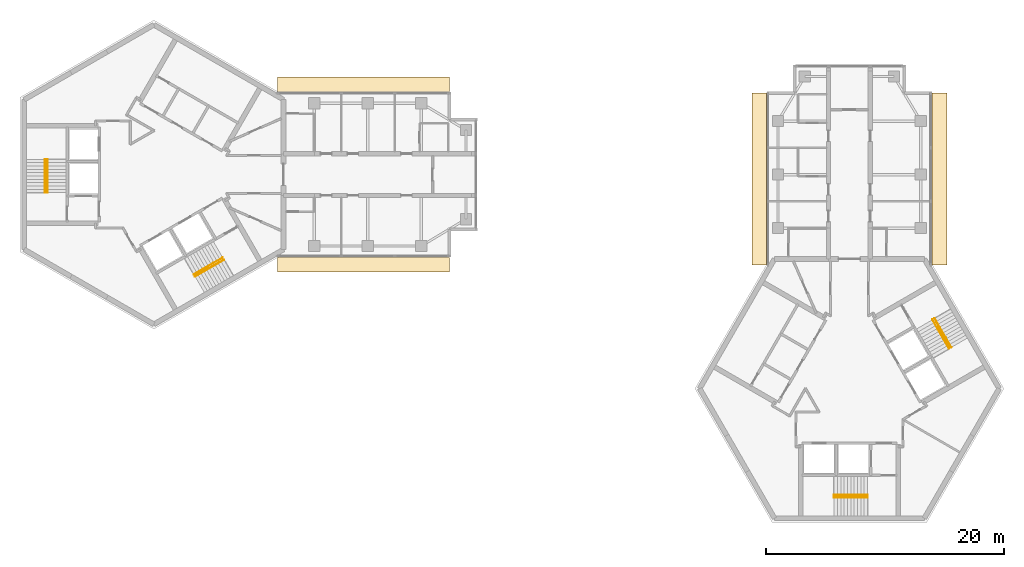
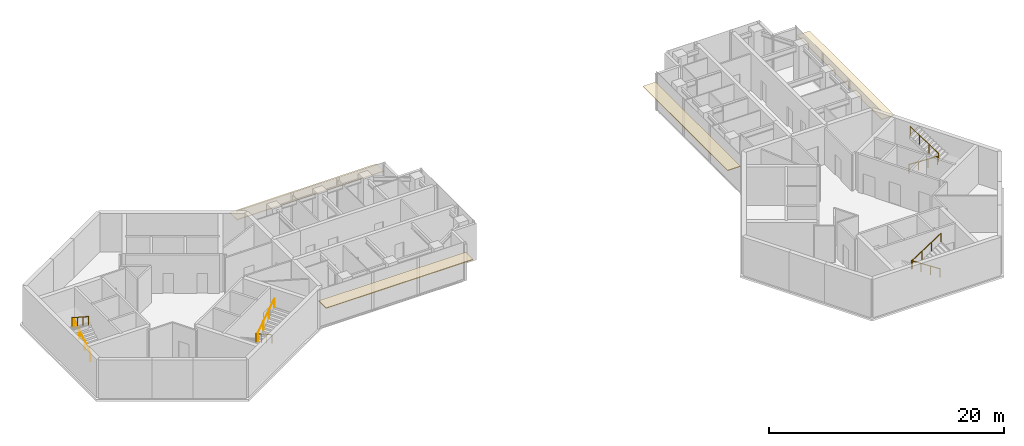
# One storey, part 11 of 11: 8 railings, 4 coverings.
"""IFC4 building model written with IfcOpenShell, lengths in metres."""

from ifc_helpers import new_model, si_unit, direction, frame, origin, origin_2d, place, context, subcontext, project, spatial, rectangle, circle, extrude, material, layer, layer_set, type_object, element, save


model = new_model("IFC4")

# Units and contexts
model_context = context("Model", 3, precision=1e-05, world=origin(), true_north=direction((0.0, 1.0)))
body_context = subcontext(model_context, "Body", "Model", "MODEL_VIEW")
ifc_project = project(units=[si_unit("LENGTHUNIT", "METRE"), si_unit("AREAUNIT", "SQUARE_METRE"), si_unit("VOLUMEUNIT", "CUBIC_METRE"), si_unit("PLANEANGLEUNIT", "RADIAN"), si_unit("MASSUNIT", "GRAM", prefix="KILO")], contexts=[model_context])

# Site, building, storey
site_placement = place(None, origin())
site = spatial("IfcSite", under=ifc_project, at=site_placement, CompositionType="ELEMENT")
building_placement = place(site_placement, origin())
building = spatial("IfcBuilding", under=site, at=building_placement, Name="Upepo Twin Towers", CompositionType="ELEMENT")
storey_placement = place(building_placement, frame((0.0, 0.0, 275.5)))
storey = spatial("IfcBuildingStorey", under=building, at=storey_placement, Name="L67", CompositionType="ELEMENT", Elevation=275.5)

# Coverings
ifc_material_1 = material(Name="Anodised aluminium, pale silver", Category="aluminium")
ifc_layer = layer(ifc_material_1, 0.080078125)
ifc_layer_set = layer_set([ifc_layer], Name="Brise-soleil blade 1250 pale aluminium")
covering_type = type_object("IfcCoveringType", Name="Brise-soleil blade 1250 pale aluminium", PredefinedType="USERDEFINED", material=ifc_layer_set)
for number, where, z_axis, x_axis, name in (
    (1, (17.61865234375, 7.590087890625, 2.909912109375), (0.0, 0.0, 1.0), (1.0, 0.0, 0.0), "T1 L67 wing A brise-soleil L"),
    (2, (17.61865234375, -7.590087890625, 2.909912109375), (0.0, 0.0, 1.0), (1.0, 0.0, 0.0), "T1 L67 wing A brise-soleil R"),
    (3, (50.909912109375, -0.38134765625, 2.909912109375), (0.0, 0.0, 1.0), (0.0, 1.0, 0.0), "T2 L67 wing A brise-soleil L"),
    (4, (66.090087890625, -0.38134765625, 2.909912109375), (0.0, 0.0, 1.0), (0.0, 1.0, 0.0), "T2 L67 wing A brise-soleil R"),
):
    element("IfcCovering", number, at=place(storey_placement, frame(where, z_axis=z_axis, x_axis=x_axis)), inside=storey, type_object=covering_type, Name=name, ObjectType="SUNSHADE", PredefinedType="USERDEFINED", context=body_context, shape_type="SweptSolid", body=[
        extrude(rectangle(XDim=14.462890625, YDim=1.25, at=origin_2d()), origin(), (0.0, 0.0, 1.0), 0.080078125),
    ])

# Railings
ifc_material_2 = material(Name="Stainless steel", Category="steel")
railing_type = type_object("IfcRailingType", Name="Stair handrail 900", PredefinedType="HANDRAIL", material=ifc_material_2)
railing_1_placement = place(storey_placement, frame((-8.949951171875, -1.52001953125, 0.181884765625)))
element("IfcRailing", 5, at=railing_1_placement, inside=storey, type_object=railing_type, Name="T1 stair S1 L67 handrail 1", PredefinedType="HANDRAIL", context=body_context, shape_type="SweptSolid", body=[
    extrude(circle(Radius=0.02392578125, at=origin_2d()), frame((0.0, 0.0, 0.8759765625), z_axis=(0.0, 0.838705829183, 0.544584733623), x_axis=(-1.0, 0.0, 0.0)), (0.0, 0.0, 1.0), 3.338623046875),
    extrude(circle(Radius=0.02099609375, at=origin_2d()), origin(), (0.0, 0.0, 1.0), 0.851806640625),
    extrude(circle(Radius=0.02099609375, at=origin_2d()), frame((0.0, 0.933349609375, 0.60595703125)), (0.0, 0.0, 1.0), 0.851806640625),
    extrude(circle(Radius=0.02099609375, at=origin_2d()), frame((0.0, 1.86669921875, 1.212158203125)), (0.0, 0.0, 1.0), 0.851806640625),
    extrude(circle(Radius=0.02099609375, at=origin_2d()), frame((0.0, 2.800048828125, 1.818115234375)), (0.0, 0.0, 1.0), 0.851806640625),
])
railing_2_placement = place(storey_placement, frame((-9.158447265625, 1.280029296875, 2.181884765625)))
element("IfcRailing", 6, at=railing_2_placement, inside=storey, type_object=railing_type, Name="T1 stair S1 L67 handrail 2", PredefinedType="HANDRAIL", context=body_context, shape_type="SweptSolid", body=[
    extrude(circle(Radius=0.02392578125, at=origin_2d()), frame((0.0, 0.0, 0.8759765625), z_axis=(0.0, -0.838705829183, 0.544584733623), x_axis=(1.0, 0.0, 0.0)), (0.0, 0.0, 1.0), 3.338623046875),
    extrude(circle(Radius=0.02099609375, at=origin_2d()), origin(), (0.0, 0.0, 1.0), 0.851806640625),
    extrude(circle(Radius=0.02099609375, at=origin_2d()), frame((0.0, -0.933349609375, 0.60595703125)), (0.0, 0.0, 1.0), 0.851806640625),
    extrude(circle(Radius=0.02099609375, at=origin_2d()), frame((0.0, -1.86669921875, 1.212158203125)), (0.0, 0.0, 1.0), 0.851806640625),
    extrude(circle(Radius=0.02099609375, at=origin_2d()), frame((0.0, -2.800048828125, 1.818115234375)), (0.0, 0.0, 1.0), 0.851806640625),
])
railing_3_placement = place(storey_placement, frame((5.791259765625, -6.990966796875, 0.181884765625)))
element("IfcRailing", 7, at=railing_3_placement, inside=storey, type_object=railing_type, Name="T1 stair S2 L67 handrail 1", PredefinedType="HANDRAIL", context=body_context, shape_type="SweptSolid", body=[
    extrude(circle(Radius=0.02392578125, at=origin_2d()), frame((0.0, 0.0, 0.8759765625), z_axis=(-0.726336304947, -0.419332699614, 0.544605966869), x_axis=(0.49998411664, -0.866034573852, 0.0)), (0.0, 0.0, 1.0), 3.33837890625),
    extrude(circle(Radius=0.02099609375, at=origin_2d()), origin(), (0.0, 0.0, 1.0), 0.851806640625),
    extrude(circle(Radius=0.02099609375, at=origin_2d()), frame((-0.808349609375, -0.466552734375, 0.60595703125)), (0.0, 0.0, 1.0), 0.851806640625),
    extrude(circle(Radius=0.02099609375, at=origin_2d()), frame((-1.616455078125, -0.933349609375, 1.212158203125)), (0.0, 0.0, 1.0), 0.851806640625),
    extrude(circle(Radius=0.02099609375, at=origin_2d()), frame((-2.4248046875, -1.39990234375, 1.818115234375)), (0.0, 0.0, 1.0), 0.851806640625),
])
railing_4_placement = place(storey_placement, frame((3.470703125, -8.5712890625, 2.181884765625)))
element("IfcRailing", 8, at=railing_4_placement, inside=storey, type_object=railing_type, Name="T1 stair S2 L67 handrail 2", PredefinedType="HANDRAIL", context=body_context, shape_type="SweptSolid", body=[
    extrude(circle(Radius=0.02392578125, at=origin_2d()), frame((0.0, 0.0, 0.8759765625), z_axis=(0.726336304947, 0.419332699614, 0.544605966869), x_axis=(-0.49998411664, 0.866034573852, 0.0)), (0.0, 0.0, 1.0), 3.33837890625),
    extrude(circle(Radius=0.02099609375, at=origin_2d()), origin(), (0.0, 0.0, 1.0), 0.851806640625),
    extrude(circle(Radius=0.02099609375, at=origin_2d()), frame((0.808349609375, 0.466552734375, 0.60595703125)), (0.0, 0.0, 1.0), 0.851806640625),
    extrude(circle(Radius=0.02099609375, at=origin_2d()), frame((1.616455078125, 0.933349609375, 1.212158203125)), (0.0, 0.0, 1.0), 0.851806640625),
    extrude(circle(Radius=0.02099609375, at=origin_2d()), frame((2.4248046875, 1.39990234375, 1.818115234375)), (0.0, 0.0, 1.0), 0.851806640625),
])
railing_5_placement = place(storey_placement, frame((60.02001953125, -26.949951171875, 0.181884765625)))
element("IfcRailing", 9, at=railing_5_placement, inside=storey, type_object=railing_type, Name="T2 stair S1 L67 handrail 1", PredefinedType="HANDRAIL", context=body_context, shape_type="SweptSolid", body=[
    extrude(circle(Radius=0.02392578125, at=origin_2d()), frame((0.0, 0.0, 0.8759765625), z_axis=(-0.838705829183, 0.0, 0.544584733623), x_axis=(0.0, -1.0, 0.0)), (0.0, 0.0, 1.0), 3.338623046875),
    extrude(circle(Radius=0.02099609375, at=origin_2d()), origin(), (0.0, 0.0, 1.0), 0.851806640625),
    extrude(circle(Radius=0.02099609375, at=origin_2d()), frame((-0.933349609375, 0.0, 0.60595703125)), (0.0, 0.0, 1.0), 0.851806640625),
    extrude(circle(Radius=0.02099609375, at=origin_2d()), frame((-1.86669921875, 0.0, 1.212158203125)), (0.0, 0.0, 1.0), 0.851806640625),
    extrude(circle(Radius=0.02099609375, at=origin_2d()), frame((-2.800048828125, 0.0, 1.818115234375)), (0.0, 0.0, 1.0), 0.851806640625),
])
railing_6_placement = place(storey_placement, frame((57.219970703125, -27.158447265625, 2.181884765625)))
element("IfcRailing", 10, at=railing_6_placement, inside=storey, type_object=railing_type, Name="T2 stair S1 L67 handrail 2", PredefinedType="HANDRAIL", context=body_context, shape_type="SweptSolid", body=[
    extrude(circle(Radius=0.02392578125, at=origin_2d()), frame((0.0, 0.0, 0.8759765625), z_axis=(0.838705829183, 0.0, 0.544584733623), x_axis=(0.0, 1.0, 0.0)), (0.0, 0.0, 1.0), 3.338623046875),
    extrude(circle(Radius=0.02099609375, at=origin_2d()), origin(), (0.0, 0.0, 1.0), 0.851806640625),
    extrude(circle(Radius=0.02099609375, at=origin_2d()), frame((0.933349609375, 0.0, 0.60595703125)), (0.0, 0.0, 1.0), 0.851806640625),
    extrude(circle(Radius=0.02099609375, at=origin_2d()), frame((1.86669921875, 0.0, 1.212158203125)), (0.0, 0.0, 1.0), 0.851806640625),
    extrude(circle(Radius=0.02099609375, at=origin_2d()), frame((2.800048828125, 0.0, 1.818115234375)), (0.0, 0.0, 1.0), 0.851806640625),
])
railing_7_placement = place(storey_placement, frame((65.490966796875, -12.208740234375, 0.181884765625)))
element("IfcRailing", 11, at=railing_7_placement, inside=storey, type_object=railing_type, Name="T2 stair S2 L67 handrail 1", PredefinedType="HANDRAIL", context=body_context, shape_type="SweptSolid", body=[
    extrude(circle(Radius=0.02392578125, at=origin_2d()), frame((0.0, 0.0, 0.8759765625), z_axis=(0.419332699614, -0.726336304947, 0.544605966869), x_axis=(0.866034573852, 0.49998411664, 0.0)), (0.0, 0.0, 1.0), 3.33837890625),
    extrude(circle(Radius=0.02099609375, at=origin_2d()), origin(), (0.0, 0.0, 1.0), 0.851806640625),
    extrude(circle(Radius=0.02099609375, at=origin_2d()), frame((0.466552734375, -0.808349609375, 0.60595703125)), (0.0, 0.0, 1.0), 0.851806640625),
    extrude(circle(Radius=0.02099609375, at=origin_2d()), frame((0.933349609375, -1.616455078125, 1.212158203125)), (0.0, 0.0, 1.0), 0.851806640625),
    extrude(circle(Radius=0.02099609375, at=origin_2d()), frame((1.39990234375, -2.4248046875, 1.818115234375)), (0.0, 0.0, 1.0), 0.851806640625),
])
railing_8_placement = place(storey_placement, frame((67.0712890625, -14.529296875, 2.181884765625)))
element("IfcRailing", 12, at=railing_8_placement, inside=storey, type_object=railing_type, Name="T2 stair S2 L67 handrail 2", PredefinedType="HANDRAIL", context=body_context, shape_type="SweptSolid", body=[
    extrude(circle(Radius=0.02392578125, at=origin_2d()), frame((0.0, 0.0, 0.8759765625), z_axis=(-0.419332699614, 0.726336304947, 0.544605966869), x_axis=(-0.866034573852, -0.49998411664, 0.0)), (0.0, 0.0, 1.0), 3.33837890625),
    extrude(circle(Radius=0.02099609375, at=origin_2d()), origin(), (0.0, 0.0, 1.0), 0.851806640625),
    extrude(circle(Radius=0.02099609375, at=origin_2d()), frame((-0.466552734375, 0.808349609375, 0.60595703125)), (0.0, 0.0, 1.0), 0.851806640625),
    extrude(circle(Radius=0.02099609375, at=origin_2d()), frame((-0.933349609375, 1.616455078125, 1.212158203125)), (0.0, 0.0, 1.0), 0.851806640625),
    extrude(circle(Radius=0.02099609375, at=origin_2d()), frame((-1.39990234375, 2.4248046875, 1.818115234375)), (0.0, 0.0, 1.0), 0.851806640625),
])

save(model, "model.ifc")
